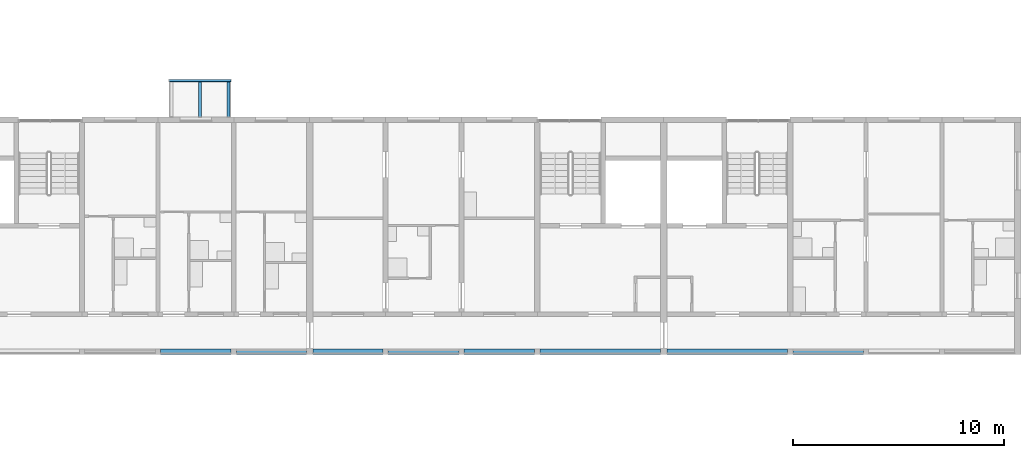
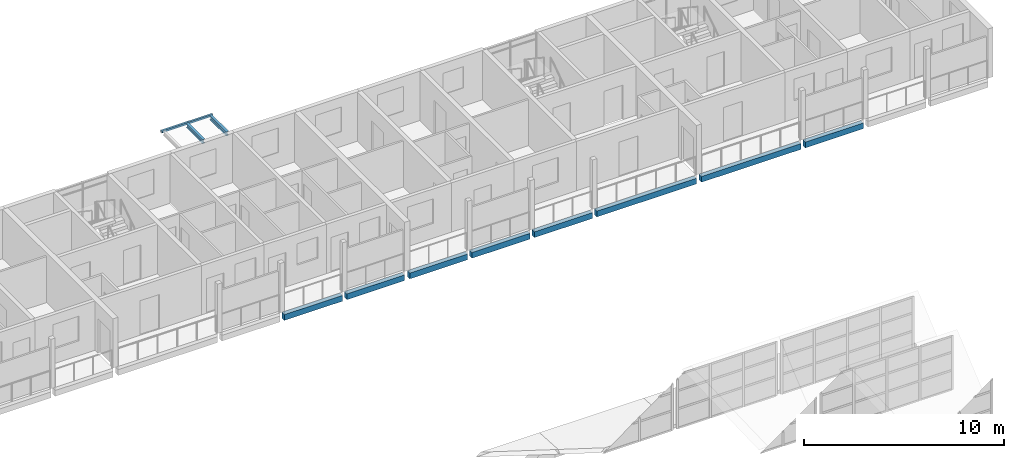
# One storey, part 38 of 122: 11 beams.
"""IFC4 building model written with IfcOpenShell, lengths in metres."""

from ifc_helpers import new_model, si_unit, direction, frame, origin, origin_2d, place, context, subcontext, project, spatial, rectangle, hollow_rectangle, i_section, extrude, material, material_profile, profile_set, type_object, element, save


model = new_model("IFC4")

# Units and contexts
model_context = context("Model", 3, precision=1e-05, world=origin(), true_north=direction((0.0, 1.0)))
body_context = subcontext(model_context, "Body", "Model", "MODEL_VIEW")
ifc_project = project(units=[si_unit("LENGTHUNIT", "METRE"), si_unit("AREAUNIT", "SQUARE_METRE"), si_unit("VOLUMEUNIT", "CUBIC_METRE"), si_unit("PLANEANGLEUNIT", "RADIAN"), si_unit("MASSUNIT", "GRAM", prefix="KILO")], contexts=[model_context])

# Site, building, storey
site_placement = place(None, origin())
site = spatial("IfcSite", under=ifc_project, at=site_placement, CompositionType="ELEMENT")
building_placement = place(site_placement, origin())
building = spatial("IfcBuilding", under=site, at=building_placement, Name="Ridgestep Commons", CompositionType="ELEMENT")
storey_placement = place(building_placement, frame((0.0, 0.0, 3.0)))
storey = spatial("IfcBuildingStorey", under=building, at=storey_placement, Name="L01", CompositionType="ELEMENT", Elevation=3.0)

# Beams
ifc_material_1 = material(Name="Precast concrete C40/50", Category="concrete")
ifc_material_profile_1 = material_profile(ifc_material_1, rectangle(XDim=0.25, YDim=0.35009765625, at=origin_2d()), Name="PC 250x350")
ifc_profile_set_1 = profile_set([ifc_material_profile_1], Name="Precast concrete C40/50")
beam_type_1 = type_object("IfcBeamType", Name="Loggia edge beam 250 x 350", PredefinedType="SPANDREL", material=ifc_profile_set_1)
beam_1_placement = place(storey_placement, frame((206.925048828125, 66.125, -0.375), z_axis=(1.0, 0.0, 0.0), x_axis=(0.0, 1.0, 0.0)))
element("IfcBeam", 1, at=beam_1_placement, inside=storey, type_object=beam_type_1, Name="Loggia edge beam C4T2 L01", PredefinedType="SPANDREL", context=body_context, shape_type="SweptSolid", body=[
    extrude(rectangle(XDim=0.25, YDim=0.35009765625, at=origin_2d()), origin(), (0.0, 0.0, 1.0), 3.349853515625),
])
for number, where, z_axis, x_axis, name in (
    (2, (210.52490234375, 66.125, -0.375), (1.0, 0.0, 0.0), (0.0, 1.0, 0.0), "Loggia edge beam C4T1 L01"),
    (3, (214.14990234375, 66.125, -0.375), (1.0, 0.0, 0.0), (0.0, 1.0, 0.0), "Loggia edge beam C5T1 L01"),
):
    element("IfcBeam", number, at=place(storey_placement, frame(where, z_axis=z_axis, x_axis=x_axis)), inside=storey, type_object=beam_type_1, Name=name, PredefinedType="SPANDREL", context=body_context, shape_type="SweptSolid", body=[
        extrude(rectangle(XDim=0.25, YDim=0.35009765625, at=origin_2d()), origin(), (0.0, 0.0, 1.0), 3.3251953125),
    ])
beam_2_placement = place(storey_placement, frame((217.72509765625, 66.125, -0.375), z_axis=(1.0, 0.0, 0.0), x_axis=(0.0, 1.0, 0.0)))
element("IfcBeam", 4, at=beam_2_placement, inside=storey, type_object=beam_type_1, Name="Loggia edge beam C5T2 L01", PredefinedType="SPANDREL", context=body_context, shape_type="SweptSolid", body=[
    extrude(rectangle(XDim=0.25, YDim=0.35009765625, at=origin_2d()), origin(), (0.0, 0.0, 1.0), 3.349853515625),
])
beam_3_placement = place(storey_placement, frame((221.324951171875, 66.125, -0.375), z_axis=(1.0, 0.0, 0.0), x_axis=(0.0, 1.0, 0.0)))
element("IfcBeam", 5, at=beam_3_placement, inside=storey, type_object=beam_type_1, Name="Loggia edge beam C5T3 L01", PredefinedType="SPANDREL", context=body_context, shape_type="SweptSolid", body=[
    extrude(rectangle(XDim=0.25, YDim=0.35009765625, at=origin_2d()), origin(), (0.0, 0.0, 1.0), 3.35009765625),
])
beam_4_placement = place(storey_placement, frame((224.925048828125, 66.125, -0.375), z_axis=(1.0, 0.0, 0.0), x_axis=(0.0, 1.0, 0.0)))
element("IfcBeam", 6, at=beam_4_placement, inside=storey, type_object=beam_type_1, Name="Loggia edge beam C5C L01", PredefinedType="SPANDREL", context=body_context, shape_type="SweptSolid", body=[
    extrude(rectangle(XDim=0.25, YDim=0.35009765625, at=origin_2d()), origin(), (0.0, 0.0, 1.0), 5.724853515625),
])
beam_5_placement = place(storey_placement, frame((230.949951171875, 66.125, -0.375), z_axis=(1.0, 0.0, 0.0), x_axis=(0.0, 1.0, 0.0)))
element("IfcBeam", 7, at=beam_5_placement, inside=storey, type_object=beam_type_1, Name="Loggia edge beam C6C L01", PredefinedType="SPANDREL", context=body_context, shape_type="SweptSolid", body=[
    extrude(rectangle(XDim=0.25, YDim=0.35009765625, at=origin_2d()), origin(), (0.0, 0.0, 1.0), 5.72509765625),
])
beam_6_placement = place(storey_placement, frame((236.925048828125, 66.125, -0.375), z_axis=(1.0, 0.0, 0.0), x_axis=(0.0, 1.0, 0.0)))
element("IfcBeam", 8, at=beam_6_placement, inside=storey, type_object=beam_type_1, Name="Loggia edge beam C6T3 L01", PredefinedType="SPANDREL", context=body_context, shape_type="SweptSolid", body=[
    extrude(rectangle(XDim=0.25, YDim=0.35009765625, at=origin_2d()), origin(), (0.0, 0.0, 1.0), 3.349853515625),
])
ifc_material_2 = material(Name="Weathering steel S355J2W", Category="steel")
ifc_material_profile_2 = material_profile(ifc_material_2, i_section(OverallWidth=0.14599609375, OverallDepth=0.25146484375, WebThickness=0.006103515625, FlangeThickness=0.008544921875, FilletRadius=0.007568359375, at=origin_2d()), Name="UB 254x146x31")
ifc_profile_set_2 = profile_set([ifc_material_profile_2], Name="Weathering steel S355J2W")
beam_type_2 = type_object("IfcBeamType", Name="Tray arm UB 254x146x31", PredefinedType="BEAM", material=ifc_profile_set_2)
for number, where, z_axis, x_axis, name in (
    (9, (208.800048828125, 77.264892578125, 2.8642578125), (0.0, 1.0, 0.0), (-1.0, 0.0, 0.0), "Tray arm C4T2-02.2"),
    (10, (210.14990234375, 77.264892578125, 2.8642578125), (0.0, 1.0, 0.0), (-1.0, 0.0, 0.0), "Tray arm C4T2-02.3"),
):
    element("IfcBeam", number, at=place(storey_placement, frame(where, z_axis=z_axis, x_axis=x_axis)), inside=storey, type_object=beam_type_2, Name=name, PredefinedType="BEAM", context=body_context, shape_type="SweptSolid", body=[
        extrude(i_section(OverallWidth=0.14599609375, OverallDepth=0.25146484375, WebThickness=0.006103515625, FlangeThickness=0.008544921875, FilletRadius=0.007568359375, at=origin_2d()), origin(), (0.0, 0.0, 1.0), 1.6650390625),
    ])
ifc_material_3 = material(Name="Weathering steel S355J2W", Category="steel")
ifc_material_profile_3 = material_profile(ifc_material_3, hollow_rectangle(XDim=0.1201171875, YDim=0.1201171875, WallThickness=0.00634765625, InnerFilletRadius=0.00634765625, OuterFilletRadius=0.009521484375, at=origin_2d()), Name="SHS 120x120x6.3")
ifc_profile_set_3 = profile_set([ifc_material_profile_3], Name="Weathering steel S355J2W")
beam_type_3 = type_object("IfcBeamType", Name="Tray edge member SHS 120x120x6.3", PredefinedType="BEAM", material=ifc_profile_set_3)
beam_7_placement = place(storey_placement, frame((207.330078125, 78.989990234375, 2.929931640625), z_axis=(1.0, 0.0, 0.0), x_axis=(0.0, 0.0, 1.0)))
element("IfcBeam", 11, at=beam_7_placement, inside=storey, type_object=beam_type_3, Name="Tray edge member C4T2-02", PredefinedType="BEAM", context=body_context, shape_type="SweptSolid", body=[
    extrude(hollow_rectangle(XDim=0.1201171875, YDim=0.1201171875, WallThickness=0.00634765625, InnerFilletRadius=0.00634765625, OuterFilletRadius=0.009521484375, at=origin_2d()), origin(), (0.0, 0.0, 1.0), 2.93994140625),
])

save(model, "model.ifc")
